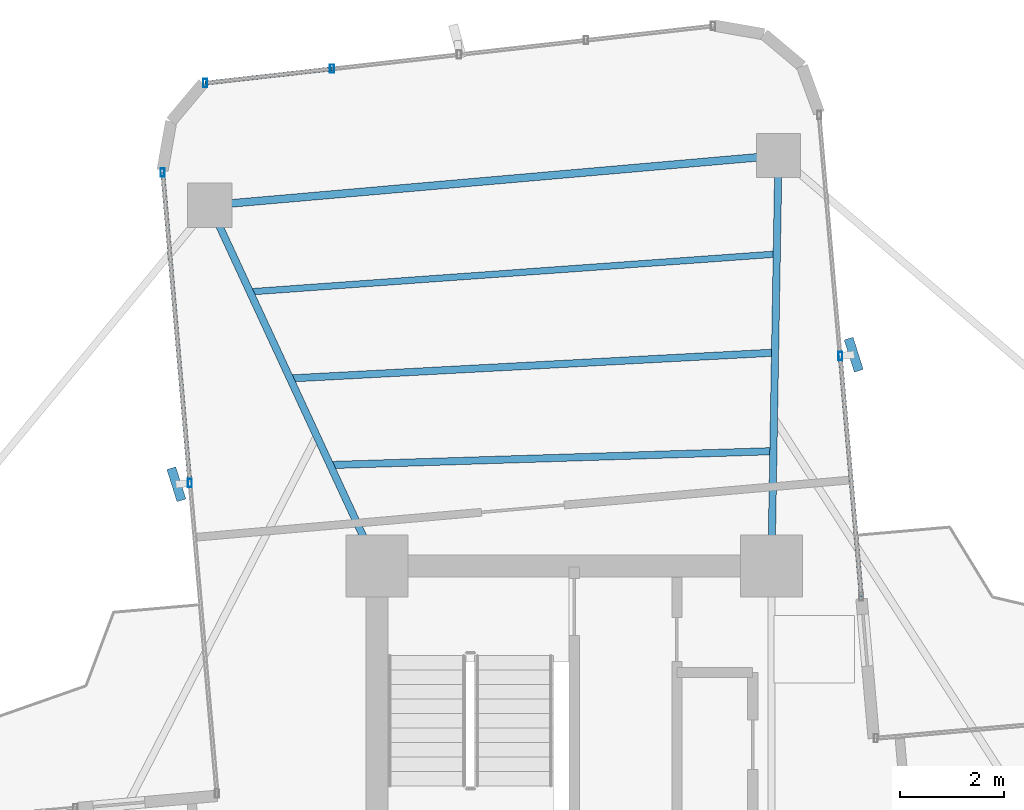
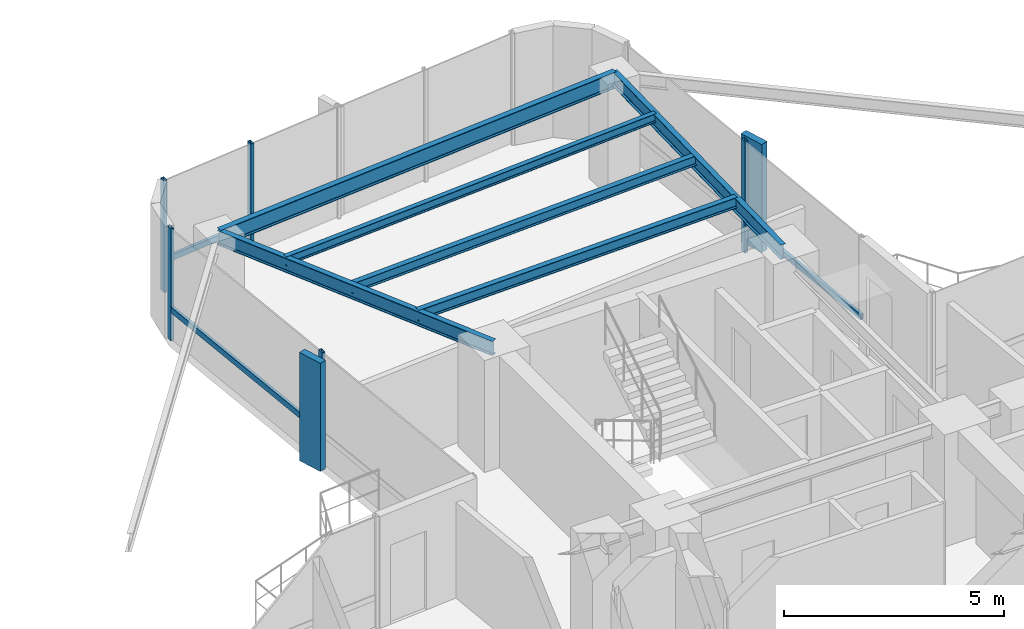
# One storey, part 16 of 24: 10 members, 6 beams, 3 elements without a shape of their own.
"""IFC4 building model written with IfcOpenShell, lengths in metres."""

from ifc_helpers import new_model, si_unit, direction, frame, origin, origin_2d, place, context, subcontext, project, spatial, rectangle, hollow_rectangle, i_section, extrude, source, transform, mapped, material, material_profile, profile_set, type_object, element, aggregate, save


model = new_model("IFC4")

# Units and contexts
model_context = context("Model", 3, precision=1e-05, world=origin(), true_north=direction((0.0, 1.0)))
body_context = subcontext(model_context, "Body", "Model", "MODEL_VIEW")
ifc_project = project(units=[si_unit("LENGTHUNIT", "METRE"), si_unit("AREAUNIT", "SQUARE_METRE"), si_unit("VOLUMEUNIT", "CUBIC_METRE"), si_unit("PLANEANGLEUNIT", "RADIAN"), si_unit("MASSUNIT", "GRAM", prefix="KILO")], contexts=[model_context])

# Site, building, storey
site_placement = place(None, origin())
site = spatial("IfcSite", under=ifc_project, at=site_placement, CompositionType="ELEMENT")
building_placement = place(site_placement, origin())
building = spatial("IfcBuilding", under=site, at=building_placement, Name="Sahyath Konkavel Grand Hotel", CompositionType="ELEMENT")
storey_placement = place(building_placement, frame((0.0, 0.0, 147.25)))
storey = spatial("IfcBuildingStorey", under=building, at=storey_placement, Name="L40", CompositionType="ELEMENT", Elevation=147.25)

# Beams
ifc_material_1 = material(Name="Steel E350", Category="steel")
ifc_material_profile_1 = material_profile(ifc_material_1, i_section(OverallWidth=0.139892578125, OverallDepth=0.39990234375, WebThickness=0.0087890625, FlangeThickness=0.01611328125, FilletRadius=0.013916015625, at=origin_2d()), Name="ISMB 400")
ifc_profile_set_1 = profile_set([ifc_material_profile_1], Name="Steel E350")
beam_type_1 = type_object("IfcBeamType", Name="BM-ISMB400", PredefinedType="BEAM", material=ifc_profile_set_1)
shared_shape_1 = source(origin(), body_context, "Body", "SweptSolid", [
    extrude(i_section(OverallWidth=0.139892578125, OverallDepth=0.39990234375, WebThickness=0.0087890625, FlangeThickness=0.01611328125, FilletRadius=0.013916015625, at=origin_2d()), origin(), (0.0, 0.0, 1.0), 7.913330078125),
])
beam_1_placement = place(storey_placement, frame((3.800048828125, 10.199951171875, 2.909912109375), z_axis=(0.017215419232, 0.999851803689, 0.0), x_axis=(-0.999851803689, 0.017215419232, 0.0)))
element("IfcBeam", 1, at=beam_1_placement, inside=storey, type_object=beam_type_1, Name="L40 Cruciform Radial Girder NA", PredefinedType="BEAM", context=body_context, shape_type="MappedRepresentation", body=[
    mapped(shared_shape_1, transform((0.0, 0.0, 0.0), scale=1.0)),
])
shared_shape_2 = source(origin(), body_context, "Body", "SweptSolid", [
    extrude(i_section(OverallWidth=0.139892578125, OverallDepth=0.39990234375, WebThickness=0.0087890625, FlangeThickness=0.01611328125, FilletRadius=0.013916015625, at=origin_2d()), origin(), (0.0, 0.0, 1.0), 7.66357421875),
])
beam_2_placement = place(storey_placement, frame((-3.800048828125, 10.199951171875, 2.909912109375), z_axis=(-0.420395127561, 0.907341135804, 0.0), x_axis=(-0.907341135804, -0.420395127561, 0.0)))
element("IfcBeam", 2, at=beam_2_placement, inside=storey, type_object=beam_type_1, Name="L40 Cruciform Radial Girder NB", PredefinedType="BEAM", context=body_context, shape_type="MappedRepresentation", body=[
    mapped(shared_shape_2, transform((0.0, 0.0, 0.0), scale=1.0)),
])
ifc_material_profile_2 = material_profile(ifc_material_1, i_section(OverallWidth=0.14990234375, OverallDepth=0.449951171875, WebThickness=0.009521484375, FlangeThickness=0.017333984375, FilletRadius=0.014892578125, at=origin_2d()), Name="ISMB 450")
ifc_profile_set_2 = profile_set([ifc_material_profile_2], Name="Steel E350")
beam_type_2 = type_object("IfcBeamType", Name="BM-ISMB450", PredefinedType="BEAM", material=ifc_profile_set_2)
shared_shape_3 = source(origin(), body_context, "Body", "SweptSolid", [
    extrude(i_section(OverallWidth=0.14990234375, OverallDepth=0.449951171875, WebThickness=0.009521484375, FlangeThickness=0.017333984375, FilletRadius=0.014892578125, at=origin_2d()), origin(), (0.0, 0.0, 1.0), 10.999755859375),
])
beam_3_placement = place(storey_placement, frame((3.936279296875, 18.112060546875, 2.885009765625), z_axis=(-0.99619439202, -0.087159241098, 0.0), x_axis=(0.087159241098, -0.99619439202, 0.0)))
element("IfcBeam", 3, at=beam_3_placement, inside=storey, type_object=beam_type_2, Name="L40 Wing Tip Edge Beam N", PredefinedType="BEAM", context=body_context, shape_type="MappedRepresentation", body=[
    mapped(shared_shape_3, transform((0.0, 0.0, 0.0), scale=1.0)),
])
ifc_material_profile_3 = material_profile(ifc_material_1, i_section(OverallWidth=0.139892578125, OverallDepth=0.300048828125, WebThickness=0.0078125, FlangeThickness=0.01318359375, FilletRadius=0.013916015625, at=origin_2d()), Name="ISMB 300")
ifc_profile_set_3 = profile_set([ifc_material_profile_3], Name="Steel E350")
beam_type_3 = type_object("IfcBeamType", Name="BM-ISMB300", PredefinedType="BEAM", material=ifc_profile_set_3)
shared_shape_4 = source(origin(), body_context, "Body", "SweptSolid", [
    extrude(i_section(OverallWidth=0.139892578125, OverallDepth=0.300048828125, WebThickness=0.0078125, FlangeThickness=0.01318359375, FilletRadius=0.013916015625, at=origin_2d()), origin(), (0.0, 0.0, 1.0), 8.54443359375),
])
beam_4_placement = place(storey_placement, frame((3.838134765625, 12.415283203125, 2.9599609375), z_axis=(-0.999506849365, -0.031401561632, 0.0), x_axis=(0.031401561632, -0.999506849365, 0.0)))
element("IfcBeam", 4, at=beam_4_placement, inside=storey, type_object=beam_type_3, Name="L40 Secondary Floor Beam N-1", PredefinedType="BEAM", context=body_context, shape_type="MappedRepresentation", body=[
    mapped(shared_shape_4, transform((0.0, 0.0, 0.0), scale=1.0)),
])
ifc_material_profile_4 = material_profile(ifc_material_1, i_section(OverallWidth=0.139892578125, OverallDepth=0.27490234375, WebThickness=0.00634765625, FlangeThickness=0.0087890625, FilletRadius=0.012939453125, at=origin_2d()), Name="ISLB 275")
ifc_profile_set_4 = profile_set([ifc_material_profile_4], Name="Steel E350")
beam_type_4 = type_object("IfcBeamType", Name="BM-ISLB275", PredefinedType="BEAM", material=ifc_profile_set_4)
shared_shape_5 = source(origin(), body_context, "Body", "SweptSolid", [
    extrude(i_section(OverallWidth=0.139892578125, OverallDepth=0.27490234375, WebThickness=0.00634765625, FlangeThickness=0.0087890625, FilletRadius=0.012939453125, at=origin_2d()), origin(), (0.0, 0.0, 1.0), 9.359375),
])
beam_5_placement = place(storey_placement, frame((3.870849609375, 14.314208984375, 2.972412109375), z_axis=(-0.998580397723, -0.053265272769, 0.0), x_axis=(0.053265272769, -0.998580397723, 0.0)))
element("IfcBeam", 5, at=beam_5_placement, inside=storey, type_object=beam_type_4, Name="L40 Secondary Floor Beam N-2", PredefinedType="BEAM", context=body_context, shape_type="MappedRepresentation", body=[
    mapped(shared_shape_5, transform((0.0, 0.0, 0.0), scale=1.0)),
])
ifc_material_profile_5 = material_profile(ifc_material_1, i_section(OverallWidth=0.125, OverallDepth=0.25, WebThickness=0.0068359375, FlangeThickness=0.012451171875, FilletRadius=0.012939453125, at=origin_2d()), Name="ISMB 250")
ifc_profile_set_5 = profile_set([ifc_material_profile_5], Name="Steel E350")
beam_type_5 = type_object("IfcBeamType", Name="BM-ISMB250", PredefinedType="BEAM", material=ifc_profile_set_5)
shared_shape_6 = source(origin(), body_context, "Body", "SweptSolid", [
    extrude(i_section(OverallWidth=0.125, OverallDepth=0.25, WebThickness=0.0068359375, FlangeThickness=0.012451171875, FilletRadius=0.012939453125, at=origin_2d()), origin(), (0.0, 0.0, 1.0), 10.178466796875),
])
beam_6_placement = place(storey_placement, frame((3.90380859375, 16.213134765625, 2.985107421875), z_axis=(-0.997435268886, -0.071574327683, 0.0), x_axis=(0.071574327683, -0.997435268886, 0.0)))
element("IfcBeam", 6, at=beam_6_placement, inside=storey, type_object=beam_type_5, Name="L40 Secondary Floor Beam N-3", PredefinedType="BEAM", context=body_context, shape_type="MappedRepresentation", body=[
    mapped(shared_shape_6, transform((0.0, 0.0, 0.0), scale=1.0)),
])

# Curtain wall, member
ifc_material_2 = material(Name="Anodised Bronze Aluminium & Low-E Glazing", Category="aluminium")
curtain_wall_type = type_object("IfcCurtainWallType", Name="CW-ZONE3", PredefinedType="NOTDEFINED", material=ifc_material_2)
curtain_wall_1_placement = place(storey_placement, origin())
curtain_wall_1 = element("IfcCurtainWall", 7, at=curtain_wall_1_placement, inside=storey, type_object=curtain_wall_type, Name="L40 Unitised Curtain Wall F8", PredefinedType="NOTDEFINED")
ifc_material_3 = material(Name="Warm Buff Sandstone Cladding on Concrete C50/60", Category="masonry")
ifc_material_profile_6 = material_profile(ifc_material_3, rectangle(XDim=0.179931640625, YDim=0.64990234375, at=origin_2d()), Name="FIN 180x650")
ifc_profile_set_6 = profile_set([ifc_material_profile_6], Name="Warm Buff Sandstone Cladding on Concrete C50/60")
member_type_1 = type_object("IfcMemberType", Name="FIN-SANDSTONE-650", PredefinedType="MULLION", material=ifc_profile_set_6)
shared_shape_7 = source(origin(), body_context, "Body", "SweptSolid", [
    extrude(rectangle(XDim=0.179931640625, YDim=0.64990234375, at=origin_2d()), origin(), (0.0, 0.0, 1.0), 3.010009765625),
])
member_1_placement = place(storey_placement, frame((5.386474609375, 14.273681640625, 0.050048828125), z_axis=(0.0, 0.0, 1.0), x_axis=(0.953716950748, 0.300705799504, 0.0)))
member_1 = element("IfcMember", 8, at=member_1_placement, type_object=member_type_1, Name="L40 Sandstone Vertical Solar Fin FIN F8-1", PredefinedType="MULLION", context=body_context, shape_type="MappedRepresentation", body=[
    mapped(shared_shape_7, transform((0.0, 0.0, 0.0), scale=1.0)),
])

curtain_wall_2_placement = place(storey_placement, origin())
curtain_wall_2 = element("IfcCurtainWall", 9, at=curtain_wall_2_placement, inside=storey, type_object=curtain_wall_type, Name="L40 Unitised Curtain Wall F15", PredefinedType="NOTDEFINED")
member_2_placement = place(storey_placement, frame((-7.66552734375, 11.776611328125, 0.050048828125), z_axis=(0.0, 0.0, 1.0), x_axis=(0.953716950748, 0.300705799504, 0.0)))
member_2 = element("IfcMember", 10, at=member_2_placement, type_object=member_type_1, Name="L40 Sandstone Vertical Solar Fin FIN F15-1", PredefinedType="MULLION", context=body_context, shape_type="MappedRepresentation", body=[
    mapped(shared_shape_7, transform((0.0, 0.0, 0.0), scale=1.0)),
])

# Member
ifc_material_4 = material(Name="Anodised Bronze Aluminium", Category="aluminium")
ifc_material_profile_7 = material_profile(ifc_material_4, hollow_rectangle(XDim=0.080078125, YDim=0.159912109375, WallThickness=0.006103515625, at=origin_2d()), Name="RHS 160x80x6")
ifc_profile_set_7 = profile_set([ifc_material_profile_7], Name="Anodised Bronze Aluminium")
member_type_2 = type_object("IfcMemberType", Name="CW-MUL-160", PredefinedType="MULLION", material=ifc_profile_set_7)
shared_shape_8 = source(origin(), body_context, "Body", "SweptSolid", [
    extrude(hollow_rectangle(XDim=0.080078125, YDim=0.159912109375, WallThickness=0.006103515625, at=origin_2d()), origin(), (0.0, 0.0, 1.0), 3.110107421875),
])
member_3_placement = place(storey_placement, frame((5.12744140625, 14.251220703125, 0.0), z_axis=(0.0, 0.0, 1.0), x_axis=(1.0, 0.0, 0.0)))
member_3 = element("IfcMember", 11, at=member_3_placement, type_object=member_type_2, Name="L40 Curtain Wall Mullion F8-1", PredefinedType="MULLION", context=body_context, shape_type="MappedRepresentation", body=[
    mapped(shared_shape_8, transform((0.0, 0.0, 0.0), scale=1.0)),
])

# Curtain wall, members
curtain_wall_3_placement = place(storey_placement, origin())
curtain_wall_3 = element("IfcCurtainWall", 12, at=curtain_wall_3_placement, inside=storey, type_object=curtain_wall_type, Name="L40 Unitised Curtain Wall F12", PredefinedType="NOTDEFINED")
member_4_placement = place(storey_placement, frame((-4.665771484375, 19.783203125, 0.0), z_axis=(0.0, 0.0, 1.0), x_axis=(1.0, 0.0, 0.0)))
member_4 = element("IfcMember", 13, at=member_4_placement, type_object=member_type_2, Name="L40 Curtain Wall Mullion F12-3", PredefinedType="MULLION", context=body_context, shape_type="MappedRepresentation", body=[
    mapped(shared_shape_8, transform((0.0, 0.0, 0.0), scale=1.0)),
])
member_5_placement = place(storey_placement, frame((-7.1123046875, 19.507568359375, 0.0), z_axis=(0.0, 0.0, 1.0), x_axis=(1.0, 0.0, 0.0)))
member_5 = element("IfcMember", 14, at=member_5_placement, type_object=member_type_2, Name="L40 Curtain Wall Mullion F12-4", PredefinedType="MULLION", context=body_context, shape_type="MappedRepresentation", body=[
    mapped(shared_shape_8, transform((0.0, 0.0, 0.0), scale=1.0)),
])

# Member
member_6_placement = place(storey_placement, frame((-7.930419921875, 17.78662109375, 0.0), z_axis=(0.0, 0.0, 1.0), x_axis=(1.0, 0.0, 0.0)))
member_6 = element("IfcMember", 15, at=member_6_placement, type_object=member_type_2, Name="L40 Curtain Wall Mullion F15-0", PredefinedType="MULLION", context=body_context, shape_type="MappedRepresentation", body=[
    mapped(shared_shape_8, transform((0.0, 0.0, 0.0), scale=1.0)),
])

member_7_placement = place(storey_placement, frame((-7.406494140625, 11.79931640625, 0.0), z_axis=(0.0, 0.0, 1.0), x_axis=(1.0, 0.0, 0.0)))
member_7 = element("IfcMember", 16, at=member_7_placement, type_object=member_type_2, Name="L40 Curtain Wall Mullion F15-1", PredefinedType="MULLION", context=body_context, shape_type="MappedRepresentation", body=[
    mapped(shared_shape_8, transform((0.0, 0.0, 0.0), scale=1.0)),
])

ifc_material_profile_8 = material_profile(ifc_material_4, hollow_rectangle(XDim=0.080078125, YDim=0.159912109375, WallThickness=0.006103515625, at=origin_2d()), Name="RHS 160x80x6")
ifc_profile_set_8 = profile_set([ifc_material_profile_8], Name="Anodised Bronze Aluminium")
member_type_3 = type_object("IfcMemberType", Name="CW-TRN-160", PredefinedType="USERDEFINED", material=ifc_profile_set_8)
shared_shape_9 = source(origin(), body_context, "Body", "SweptSolid", [
    extrude(hollow_rectangle(XDim=0.080078125, YDim=0.159912109375, WallThickness=0.006103515625, at=origin_2d()), origin(), (0.0, 0.0, 1.0), 4.66015625),
])
member_8_placement = place(storey_placement, frame((5.53369140625, 9.60888671875, 0.85009765625), z_axis=(-0.087176698736, 0.996192864458, 0.0), x_axis=(-0.996192864458, -0.087176698736, 0.0)))
member_8 = element("IfcMember", 17, at=member_8_placement, type_object=member_type_3, Name="L40 Curtain Wall Transom F8-0-spandrel", ObjectType="TRANSOM", PredefinedType="USERDEFINED", context=body_context, shape_type="MappedRepresentation", body=[
    mapped(shared_shape_9, transform((0.0, 0.0, 0.0), scale=1.0)),
])

aggregate(curtain_wall_1, [member_3, member_1, member_8])

shared_shape_10 = source(origin(), body_context, "Body", "SweptSolid", [
    extrude(hollow_rectangle(XDim=0.080078125, YDim=0.159912109375, WallThickness=0.006103515625, at=origin_2d()), origin(), (0.0, 0.0, 1.0), 2.4619140625),
])
member_9_placement = place(storey_placement, frame((-4.665771484375, 19.783203125, 0.85009765625), z_axis=(-0.993713263833, -0.111955121731, 0.0), x_axis=(0.111955121731, -0.993713263833, 0.0)))
member_9 = element("IfcMember", 18, at=member_9_placement, type_object=member_type_3, Name="L40 Curtain Wall Transom F12-3-spandrel", ObjectType="TRANSOM", PredefinedType="USERDEFINED", context=body_context, shape_type="MappedRepresentation", body=[
    mapped(shared_shape_10, transform((0.0, 0.0, 0.0), scale=1.0)),
])

aggregate(curtain_wall_3, [member_4, member_5, member_9])

shared_shape_11 = source(origin(), body_context, "Body", "SweptSolid", [
    extrude(hollow_rectangle(XDim=0.080078125, YDim=0.159912109375, WallThickness=0.006103515625, at=origin_2d()), origin(), (0.0, 0.0, 1.0), 6.01025390625),
])
member_10_placement = place(storey_placement, frame((-7.930419921875, 17.78662109375, 0.85009765625), z_axis=(0.087172997156, -0.996193188376, 0.0), x_axis=(0.996193188376, 0.087172997156, 0.0)))
member_10 = element("IfcMember", 19, at=member_10_placement, type_object=member_type_3, Name="L40 Curtain Wall Transom F15-0-spandrel", ObjectType="TRANSOM", PredefinedType="USERDEFINED", context=body_context, shape_type="MappedRepresentation", body=[
    mapped(shared_shape_11, transform((0.0, 0.0, 0.0), scale=1.0)),
])

aggregate(curtain_wall_2, [member_6, member_7, member_2, member_10])

save(model, "model.ifc")
